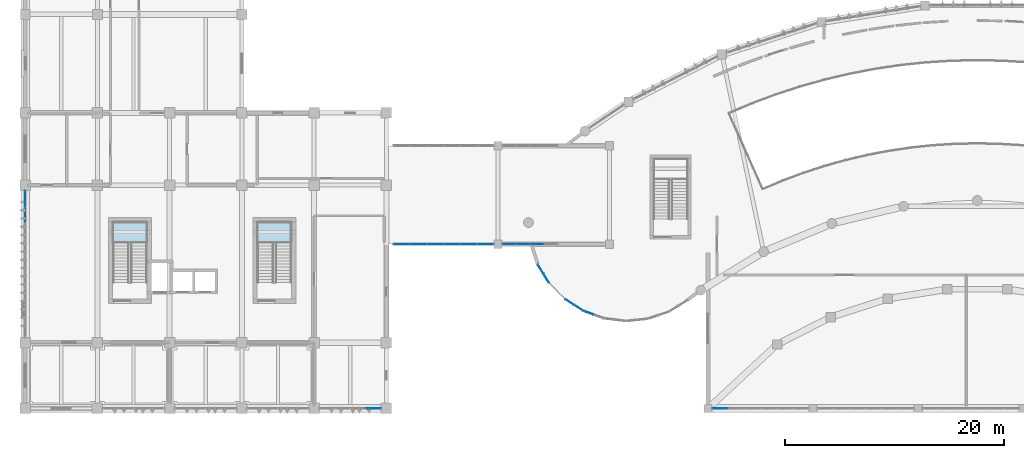
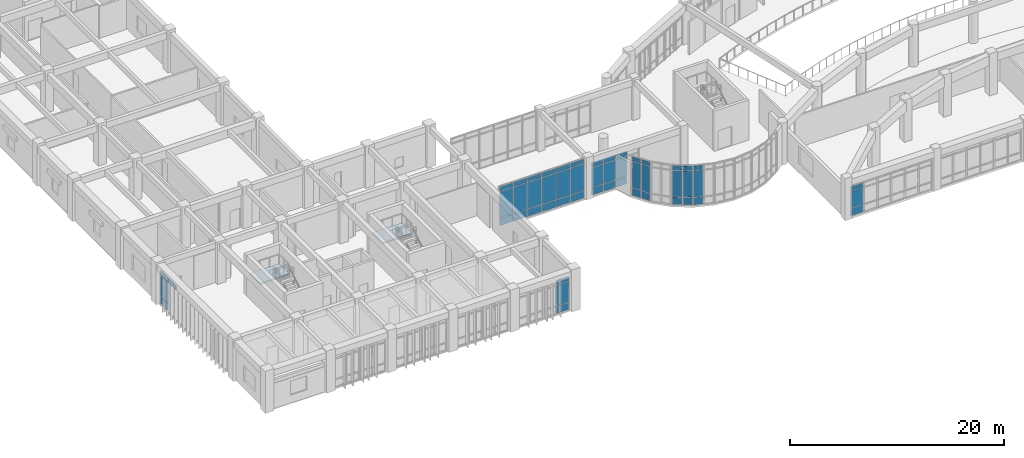
# One storey, part 38 of 68: 52 plates, 2 slabs, 10 elements without a shape of their own.
"""IFC4 building model written with IfcOpenShell, lengths in metres."""

from ifc_helpers import new_model, si_unit, direction, frame, origin, origin_2d, place, context, subcontext, project, spatial, polyline, rectangle, outline, extrude, material, layer, layer_set, type_object, element, aggregate, save


model = new_model("IFC4")

# Units and contexts
model_context = context("Model", 3, precision=1e-05, world=origin(), true_north=direction((0.0, 1.0)))
body_context = subcontext(model_context, "Body", "Model", "MODEL_VIEW")
ifc_project = project(units=[si_unit("LENGTHUNIT", "METRE"), si_unit("AREAUNIT", "SQUARE_METRE"), si_unit("VOLUMEUNIT", "CUBIC_METRE"), si_unit("PLANEANGLEUNIT", "RADIAN"), si_unit("MASSUNIT", "GRAM", prefix="KILO")], contexts=[model_context])

# Site, building, storey
site_placement = place(None, origin())
site = spatial("IfcSite", under=ifc_project, at=site_placement, CompositionType="ELEMENT")
building_placement = place(site_placement, origin())
building = spatial("IfcBuilding", under=site, at=building_placement, Name="Miralva Faculty of Natural Sciences", CompositionType="ELEMENT")
storey_placement = place(building_placement, frame((0.0, 0.0, 5.39990234375)))
storey = spatial("IfcBuildingStorey", under=building, at=storey_placement, Name="L01", CompositionType="ELEMENT", Elevation=5.39990234375)

# Curtain wall, plates
ifc_material_1 = material(Name="Laminated solar-control glass", Category="glass")
ifc_layer_1 = layer(ifc_material_1, 0.179931640625, Name="CW-RND-L01")
ifc_layer_set_1 = layer_set([ifc_layer_1], Name="Laminated solar-control glass")
curtain_wall_type_1 = type_object("IfcCurtainWallType", Name="CW-RND-L01", PredefinedType="USERDEFINED", material=ifc_layer_set_1)
curtain_wall_1_placement = place(storey_placement, origin())
curtain_wall_1 = element("IfcCurtainWall", 1, at=curtain_wall_1_placement, inside=storey, type_object=curtain_wall_type_1, Name="Curtain wall CW-05 L01-51", ObjectType="UNITISED CURTAIN WALL", PredefinedType="USERDEFINED")
ifc_layer_2 = layer(ifc_material_1, 0.028076171875, Name="PNL-P01")
ifc_layer_set_2 = layer_set([ifc_layer_2], Name="Laminated solar-control glass")
plate_type_1 = type_object("IfcPlateType", Name="PNL-P01", PredefinedType="CURTAIN_PANEL", material=ifc_layer_set_2)
plate_1_placement = place(storey_placement, frame((54.490234375, 11.730224609375, 0.06005859375), z_axis=(0.0, 0.0, 1.0), x_axis=(0.940535451088, -0.339695547876, 0.0)))
plate_1 = element("IfcPlate", 2, at=plate_1_placement, type_object=plate_type_1, Name="CW-05 panel 1.1", PredefinedType="CURTAIN_PANEL", context=body_context, shape_type="SweptSolid", body=[
    extrude(rectangle(XDim=0.91259765625, YDim=0.028076171875, at=origin_2d()), origin(), (0.0, 0.0, 1.0), 0.81005859375),
])
plate_2_placement = place(storey_placement, frame((54.490234375, 11.730224609375, 0.93017578125), z_axis=(0.0, 0.0, 1.0), x_axis=(0.940535451088, -0.339695547876, 0.0)))
plate_2 = element("IfcPlate", 3, at=plate_2_placement, type_object=plate_type_1, Name="CW-05 panel 1.2", PredefinedType="CURTAIN_PANEL", context=body_context, shape_type="SweptSolid", body=[
    extrude(rectangle(XDim=0.91259765625, YDim=0.028076171875, at=origin_2d()), origin(), (0.0, 0.0, 1.0), 2.989990234375),
])
plate_3_placement = place(storey_placement, frame((54.490234375, 11.730224609375, 3.97998046875), z_axis=(0.0, 0.0, 1.0), x_axis=(0.940535451088, -0.339695547876, 0.0)))
plate_3 = element("IfcPlate", 4, at=plate_3_placement, type_object=plate_type_1, Name="CW-05 panel 1.3", PredefinedType="CURTAIN_PANEL", context=body_context, shape_type="SweptSolid", body=[
    extrude(rectangle(XDim=0.91259765625, YDim=0.028076171875, at=origin_2d()), origin(), (0.0, 0.0, 1.0), 0.510009765625),
])
aggregate(curtain_wall_1, [plate_1, plate_2, plate_3])

curtain_wall_2_placement = place(storey_placement, origin())
curtain_wall_2 = element("IfcCurtainWall", 5, at=curtain_wall_2_placement, inside=storey, type_object=curtain_wall_type_1, Name="Curtain wall CW-05 L01-52", ObjectType="UNITISED CURTAIN WALL", PredefinedType="USERDEFINED")
plate_4_placement = place(storey_placement, frame((52.742919921875, 12.714599609375, 0.06005859375), z_axis=(0.0, 0.0, 1.0), x_axis=(0.841379438185, -0.540444854725, 0.0)))
plate_4 = element("IfcPlate", 6, at=plate_4_placement, type_object=plate_type_1, Name="CW-05 panel 1.1", PredefinedType="CURTAIN_PANEL", context=body_context, shape_type="SweptSolid", body=[
    extrude(rectangle(XDim=0.91259765625, YDim=0.028076171875, at=origin_2d()), origin(), (0.0, 0.0, 1.0), 0.81005859375),
])
plate_5_placement = place(storey_placement, frame((52.742919921875, 12.714599609375, 0.93017578125), z_axis=(0.0, 0.0, 1.0), x_axis=(0.841379438185, -0.540444854725, 0.0)))
plate_5 = element("IfcPlate", 7, at=plate_5_placement, type_object=plate_type_1, Name="CW-05 panel 1.2", PredefinedType="CURTAIN_PANEL", context=body_context, shape_type="SweptSolid", body=[
    extrude(rectangle(XDim=0.91259765625, YDim=0.028076171875, at=origin_2d()), origin(), (0.0, 0.0, 1.0), 2.989990234375),
])
plate_6_placement = place(storey_placement, frame((52.742919921875, 12.714599609375, 3.97998046875), z_axis=(0.0, 0.0, 1.0), x_axis=(0.841379438185, -0.540444854725, 0.0)))
plate_6 = element("IfcPlate", 8, at=plate_6_placement, type_object=plate_type_1, Name="CW-05 panel 1.3", PredefinedType="CURTAIN_PANEL", context=body_context, shape_type="SweptSolid", body=[
    extrude(rectangle(XDim=0.91259765625, YDim=0.028076171875, at=origin_2d()), origin(), (0.0, 0.0, 1.0), 0.510009765625),
])
plate_7_placement = place(storey_placement, frame((53.565673828125, 12.186279296875, 0.06005859375), z_axis=(0.0, 0.0, 1.0), x_axis=(0.841379438185, -0.540444854725, 0.0)))
plate_7 = element("IfcPlate", 9, at=plate_7_placement, type_object=plate_type_1, Name="CW-05 panel 2.1", PredefinedType="CURTAIN_PANEL", context=body_context, shape_type="SweptSolid", body=[
    extrude(rectangle(XDim=0.91259765625, YDim=0.028076171875, at=origin_2d()), origin(), (0.0, 0.0, 1.0), 0.81005859375),
])
plate_8_placement = place(storey_placement, frame((53.565673828125, 12.186279296875, 0.93017578125), z_axis=(0.0, 0.0, 1.0), x_axis=(0.841379438185, -0.540444854725, 0.0)))
plate_8 = element("IfcPlate", 10, at=plate_8_placement, type_object=plate_type_1, Name="CW-05 panel 2.2", PredefinedType="CURTAIN_PANEL", context=body_context, shape_type="SweptSolid", body=[
    extrude(rectangle(XDim=0.91259765625, YDim=0.028076171875, at=origin_2d()), origin(), (0.0, 0.0, 1.0), 2.989990234375),
])
plate_9_placement = place(storey_placement, frame((53.565673828125, 12.186279296875, 3.97998046875), z_axis=(0.0, 0.0, 1.0), x_axis=(0.841379438185, -0.540444854725, 0.0)))
plate_9 = element("IfcPlate", 11, at=plate_9_placement, type_object=plate_type_1, Name="CW-05 panel 2.3", PredefinedType="CURTAIN_PANEL", context=body_context, shape_type="SweptSolid", body=[
    extrude(rectangle(XDim=0.91259765625, YDim=0.028076171875, at=origin_2d()), origin(), (0.0, 0.0, 1.0), 0.510009765625),
])
aggregate(curtain_wall_2, [plate_4, plate_5, plate_6, plate_7, plate_8, plate_9])

curtain_wall_3_placement = place(storey_placement, origin())
curtain_wall_3 = element("IfcCurtainWall", 12, at=curtain_wall_3_placement, inside=storey, type_object=curtain_wall_type_1, Name="Curtain wall CW-05 L01-54", ObjectType="UNITISED CURTAIN WALL", PredefinedType="USERDEFINED")
plate_10_placement = place(storey_placement, frame((50.111328125, 15.70849609375, 0.06005859375), z_axis=(0.0, 0.0, 1.0), x_axis=(0.523550543884, -0.851994617353, 0.0)))
plate_10 = element("IfcPlate", 13, at=plate_10_placement, type_object=plate_type_1, Name="CW-05 panel 1.1", PredefinedType="CURTAIN_PANEL", context=body_context, shape_type="SweptSolid", body=[
    extrude(rectangle(XDim=0.91259765625, YDim=0.028076171875, at=origin_2d()), origin(), (0.0, 0.0, 1.0), 0.81005859375),
])
plate_11_placement = place(storey_placement, frame((50.111328125, 15.70849609375, 0.93017578125), z_axis=(0.0, 0.0, 1.0), x_axis=(0.523550543884, -0.851994617353, 0.0)))
plate_11 = element("IfcPlate", 14, at=plate_11_placement, type_object=plate_type_1, Name="CW-05 panel 1.2", PredefinedType="CURTAIN_PANEL", context=body_context, shape_type="SweptSolid", body=[
    extrude(rectangle(XDim=0.91259765625, YDim=0.028076171875, at=origin_2d()), origin(), (0.0, 0.0, 1.0), 2.989990234375),
])
plate_12_placement = place(storey_placement, frame((50.111328125, 15.70849609375, 3.97998046875), z_axis=(0.0, 0.0, 1.0), x_axis=(0.523550543884, -0.851994617353, 0.0)))
plate_12 = element("IfcPlate", 15, at=plate_12_placement, type_object=plate_type_1, Name="CW-05 panel 1.3", PredefinedType="CURTAIN_PANEL", context=body_context, shape_type="SweptSolid", body=[
    extrude(rectangle(XDim=0.91259765625, YDim=0.028076171875, at=origin_2d()), origin(), (0.0, 0.0, 1.0), 0.510009765625),
])
plate_13_placement = place(storey_placement, frame((50.623046875, 14.87548828125, 0.06005859375), z_axis=(0.0, 0.0, 1.0), x_axis=(0.523550543884, -0.851994617353, 0.0)))
plate_13 = element("IfcPlate", 16, at=plate_13_placement, type_object=plate_type_1, Name="CW-05 panel 2.1", PredefinedType="CURTAIN_PANEL", context=body_context, shape_type="SweptSolid", body=[
    extrude(rectangle(XDim=0.91259765625, YDim=0.028076171875, at=origin_2d()), origin(), (0.0, 0.0, 1.0), 0.81005859375),
])
plate_14_placement = place(storey_placement, frame((50.623046875, 14.87548828125, 0.93017578125), z_axis=(0.0, 0.0, 1.0), x_axis=(0.523550543884, -0.851994617353, 0.0)))
plate_14 = element("IfcPlate", 17, at=plate_14_placement, type_object=plate_type_1, Name="CW-05 panel 2.2", PredefinedType="CURTAIN_PANEL", context=body_context, shape_type="SweptSolid", body=[
    extrude(rectangle(XDim=0.91259765625, YDim=0.028076171875, at=origin_2d()), origin(), (0.0, 0.0, 1.0), 2.989990234375),
])
plate_15_placement = place(storey_placement, frame((50.623046875, 14.87548828125, 3.97998046875), z_axis=(0.0, 0.0, 1.0), x_axis=(0.523550543884, -0.851994617353, 0.0)))
plate_15 = element("IfcPlate", 18, at=plate_15_placement, type_object=plate_type_1, Name="CW-05 panel 2.3", PredefinedType="CURTAIN_PANEL", context=body_context, shape_type="SweptSolid", body=[
    extrude(rectangle(XDim=0.91259765625, YDim=0.028076171875, at=origin_2d()), origin(), (0.0, 0.0, 1.0), 0.510009765625),
])
aggregate(curtain_wall_3, [plate_10, plate_11, plate_12, plate_13, plate_14, plate_15])

ifc_layer_3 = layer(ifc_material_1, 0.179931640625, Name="CW-TWR-L01")
ifc_layer_set_3 = layer_set([ifc_layer_3], Name="Laminated solar-control glass")
curtain_wall_type_2 = type_object("IfcCurtainWallType", Name="CW-TWR-L01", PredefinedType="USERDEFINED", material=ifc_layer_set_3)
curtain_wall_4_placement = place(storey_placement, origin())
curtain_wall_4 = element("IfcCurtainWall", 19, at=curtain_wall_4_placement, inside=storey, type_object=curtain_wall_type_2, Name="Curtain wall CW-13 L01-217", ObjectType="UNITISED CURTAIN WALL", PredefinedType="USERDEFINED")
plate_16_placement = place(storey_placement, frame((34.8173828125, 3.0, 0.06005859375), z_axis=(0.0, 0.0, 1.0), x_axis=(1.0, 0.0, 0.0)))
plate_16 = element("IfcPlate", 20, at=plate_16_placement, type_object=plate_type_1, Name="CW-13 panel 4.1", PredefinedType="CURTAIN_PANEL", context=body_context, shape_type="SweptSolid", body=[
    extrude(rectangle(XDim=1.324951171875, YDim=0.028076171875, at=origin_2d()), origin(), (0.0, 0.0, 1.0), 0.81005859375),
])
plate_17_placement = place(storey_placement, frame((34.8173828125, 3.0, 0.93017578125), z_axis=(0.0, 0.0, 1.0), x_axis=(1.0, 0.0, 0.0)))
plate_17 = element("IfcPlate", 21, at=plate_17_placement, type_object=plate_type_1, Name="CW-13 panel 4.2", PredefinedType="CURTAIN_PANEL", context=body_context, shape_type="SweptSolid", body=[
    extrude(rectangle(XDim=1.324951171875, YDim=0.028076171875, at=origin_2d()), origin(), (0.0, 0.0, 1.0), 2.31494140625),
])
plate_18_placement = place(storey_placement, frame((34.8173828125, 3.0, 3.30517578125), z_axis=(0.0, 0.0, 1.0), x_axis=(1.0, 0.0, 0.0)))
plate_18 = element("IfcPlate", 22, at=plate_18_placement, type_object=plate_type_1, Name="CW-13 panel 4.3", PredefinedType="CURTAIN_PANEL", context=body_context, shape_type="SweptSolid", body=[
    extrude(rectangle(XDim=1.324951171875, YDim=0.028076171875, at=origin_2d()), origin(), (0.0, 0.0, 1.0), 0.510009765625),
])
aggregate(curtain_wall_4, [plate_16, plate_17, plate_18])

curtain_wall_5_placement = place(storey_placement, origin())
curtain_wall_5 = element("IfcCurtainWall", 23, at=curtain_wall_5_placement, inside=storey, type_object=curtain_wall_type_2, Name="Curtain wall CW-13 L01-218", ObjectType="UNITISED CURTAIN WALL", PredefinedType="USERDEFINED")
plate_19_placement = place(storey_placement, frame((3.0, 20.68994140625, 3.30517578125), z_axis=(0.0, 0.0, 1.0), x_axis=(0.0, 1.0, 0.0)))
plate_19 = element("IfcPlate", 24, at=plate_19_placement, type_object=plate_type_1, Name="CW-13 panel 8.3", PredefinedType="CURTAIN_PANEL", context=body_context, shape_type="SweptSolid", body=[
    extrude(rectangle(XDim=1.431640625, YDim=0.028076171875, at=origin_2d()), origin(), (0.0, 0.0, 1.0), 0.510009765625),
])
plate_20_placement = place(storey_placement, frame((3.0, 22.17041015625, 0.06005859375), z_axis=(0.0, 0.0, 1.0), x_axis=(0.0, 1.0, 0.0)))
plate_20 = element("IfcPlate", 25, at=plate_20_placement, type_object=plate_type_1, Name="CW-13 panel 9.1", PredefinedType="CURTAIN_PANEL", context=body_context, shape_type="SweptSolid", body=[
    extrude(rectangle(XDim=1.399169921875, YDim=0.028076171875, at=origin_2d()), origin(), (0.0, 0.0, 1.0), 0.81005859375),
])
plate_21_placement = place(storey_placement, frame((3.0, 22.17041015625, 0.93017578125), z_axis=(0.0, 0.0, 1.0), x_axis=(0.0, 1.0, 0.0)))
plate_21 = element("IfcPlate", 26, at=plate_21_placement, type_object=plate_type_1, Name="CW-13 panel 9.2", PredefinedType="CURTAIN_PANEL", context=body_context, shape_type="SweptSolid", body=[
    extrude(rectangle(XDim=1.399169921875, YDim=0.028076171875, at=origin_2d()), origin(), (0.0, 0.0, 1.0), 2.31494140625),
])
plate_22_placement = place(storey_placement, frame((3.0, 22.17041015625, 3.30517578125), z_axis=(0.0, 0.0, 1.0), x_axis=(0.0, 1.0, 0.0)))
plate_22 = element("IfcPlate", 27, at=plate_22_placement, type_object=plate_type_1, Name="CW-13 panel 9.3", PredefinedType="CURTAIN_PANEL", context=body_context, shape_type="SweptSolid", body=[
    extrude(rectangle(XDim=1.399169921875, YDim=0.028076171875, at=origin_2d()), origin(), (0.0, 0.0, 1.0), 0.510009765625),
])
aggregate(curtain_wall_5, [plate_19, plate_20, plate_21, plate_22])

ifc_layer_4 = layer(ifc_material_1, 0.179931640625, Name="CW-COM-L01")
ifc_layer_set_4 = layer_set([ifc_layer_4], Name="Laminated solar-control glass")
curtain_wall_type_3 = type_object("IfcCurtainWallType", Name="CW-COM-L01", PredefinedType="USERDEFINED", material=ifc_layer_set_4)
curtain_wall_6_placement = place(storey_placement, origin())
curtain_wall_6 = element("IfcCurtainWall", 28, at=curtain_wall_6_placement, inside=storey, type_object=curtain_wall_type_3, Name="Curtain wall CW-10 L01-288", ObjectType="UNITISED CURTAIN WALL", PredefinedType="USERDEFINED")
plate_23_placement = place(storey_placement, frame((37.40380859375, 18.0, 0.06005859375), z_axis=(0.0, 0.0, 1.0), x_axis=(1.0, 0.0, 0.0)))
plate_23 = element("IfcPlate", 29, at=plate_23_placement, type_object=plate_type_1, Name="CW-10 panel 1.1", PredefinedType="CURTAIN_PANEL", context=body_context, shape_type="SweptSolid", body=[
    extrude(rectangle(XDim=1.447509765625, YDim=0.028076171875, at=origin_2d()), origin(), (0.0, 0.0, 1.0), 0.81005859375),
])
plate_24_placement = place(storey_placement, frame((37.40380859375, 18.0, 0.93017578125), z_axis=(0.0, 0.0, 1.0), x_axis=(1.0, 0.0, 0.0)))
plate_24 = element("IfcPlate", 30, at=plate_24_placement, type_object=plate_type_1, Name="CW-10 panel 1.2", PredefinedType="CURTAIN_PANEL", context=body_context, shape_type="SweptSolid", body=[
    extrude(rectangle(XDim=1.447509765625, YDim=0.028076171875, at=origin_2d()), origin(), (0.0, 0.0, 1.0), 2.989990234375),
])
plate_25_placement = place(storey_placement, frame((37.40380859375, 18.0, 3.97998046875), z_axis=(0.0, 0.0, 1.0), x_axis=(1.0, 0.0, 0.0)))
plate_25 = element("IfcPlate", 31, at=plate_25_placement, type_object=plate_type_1, Name="CW-10 panel 1.3", PredefinedType="CURTAIN_PANEL", context=body_context, shape_type="SweptSolid", body=[
    extrude(rectangle(XDim=1.447509765625, YDim=0.028076171875, at=origin_2d()), origin(), (0.0, 0.0, 1.0), 0.510009765625),
])
plate_26_placement = place(storey_placement, frame((38.92626953125, 18.0, 0.06005859375), z_axis=(0.0, 0.0, 1.0), x_axis=(1.0, 0.0, 0.0)))
plate_26 = element("IfcPlate", 32, at=plate_26_placement, type_object=plate_type_1, Name="CW-10 panel 2.1", PredefinedType="CURTAIN_PANEL", context=body_context, shape_type="SweptSolid", body=[
    extrude(rectangle(XDim=1.4775390625, YDim=0.028076171875, at=origin_2d()), origin(), (0.0, 0.0, 1.0), 0.81005859375),
])
plate_27_placement = place(storey_placement, frame((38.92626953125, 18.0, 0.93017578125), z_axis=(0.0, 0.0, 1.0), x_axis=(1.0, 0.0, 0.0)))
plate_27 = element("IfcPlate", 33, at=plate_27_placement, type_object=plate_type_1, Name="CW-10 panel 2.2", PredefinedType="CURTAIN_PANEL", context=body_context, shape_type="SweptSolid", body=[
    extrude(rectangle(XDim=1.4775390625, YDim=0.028076171875, at=origin_2d()), origin(), (0.0, 0.0, 1.0), 2.989990234375),
])
plate_28_placement = place(storey_placement, frame((38.92626953125, 18.0, 3.97998046875), z_axis=(0.0, 0.0, 1.0), x_axis=(1.0, 0.0, 0.0)))
plate_28 = element("IfcPlate", 34, at=plate_28_placement, type_object=plate_type_1, Name="CW-10 panel 2.3", PredefinedType="CURTAIN_PANEL", context=body_context, shape_type="SweptSolid", body=[
    extrude(rectangle(XDim=1.4775390625, YDim=0.028076171875, at=origin_2d()), origin(), (0.0, 0.0, 1.0), 0.510009765625),
])
plate_29_placement = place(storey_placement, frame((40.4638671875, 18.0, 0.06005859375), z_axis=(0.0, 0.0, 1.0), x_axis=(1.0, 0.0, 0.0)))
plate_29 = element("IfcPlate", 35, at=plate_29_placement, type_object=plate_type_1, Name="CW-10 panel 3.1", PredefinedType="CURTAIN_PANEL", context=body_context, shape_type="SweptSolid", body=[
    extrude(rectangle(XDim=1.4775390625, YDim=0.028076171875, at=origin_2d()), origin(), (0.0, 0.0, 1.0), 0.81005859375),
])
plate_30_placement = place(storey_placement, frame((40.4638671875, 18.0, 0.93017578125), z_axis=(0.0, 0.0, 1.0), x_axis=(1.0, 0.0, 0.0)))
plate_30 = element("IfcPlate", 36, at=plate_30_placement, type_object=plate_type_1, Name="CW-10 panel 3.2", PredefinedType="CURTAIN_PANEL", context=body_context, shape_type="SweptSolid", body=[
    extrude(rectangle(XDim=1.4775390625, YDim=0.028076171875, at=origin_2d()), origin(), (0.0, 0.0, 1.0), 2.989990234375),
])
plate_31_placement = place(storey_placement, frame((40.4638671875, 18.0, 3.97998046875), z_axis=(0.0, 0.0, 1.0), x_axis=(1.0, 0.0, 0.0)))
plate_31 = element("IfcPlate", 37, at=plate_31_placement, type_object=plate_type_1, Name="CW-10 panel 3.3", PredefinedType="CURTAIN_PANEL", context=body_context, shape_type="SweptSolid", body=[
    extrude(rectangle(XDim=1.4775390625, YDim=0.028076171875, at=origin_2d()), origin(), (0.0, 0.0, 1.0), 0.510009765625),
])
plate_32_placement = place(storey_placement, frame((42.001220703125, 18.0, 0.06005859375), z_axis=(0.0, 0.0, 1.0), x_axis=(1.0, 0.0, 0.0)))
plate_32 = element("IfcPlate", 38, at=plate_32_placement, type_object=plate_type_1, Name="CW-10 panel 4.1", PredefinedType="CURTAIN_PANEL", context=body_context, shape_type="SweptSolid", body=[
    extrude(rectangle(XDim=1.4775390625, YDim=0.028076171875, at=origin_2d()), origin(), (0.0, 0.0, 1.0), 0.81005859375),
])
plate_33_placement = place(storey_placement, frame((42.001220703125, 18.0, 0.93017578125), z_axis=(0.0, 0.0, 1.0), x_axis=(1.0, 0.0, 0.0)))
plate_33 = element("IfcPlate", 39, at=plate_33_placement, type_object=plate_type_1, Name="CW-10 panel 4.2", PredefinedType="CURTAIN_PANEL", context=body_context, shape_type="SweptSolid", body=[
    extrude(rectangle(XDim=1.4775390625, YDim=0.028076171875, at=origin_2d()), origin(), (0.0, 0.0, 1.0), 2.989990234375),
])
plate_34_placement = place(storey_placement, frame((42.001220703125, 18.0, 3.97998046875), z_axis=(0.0, 0.0, 1.0), x_axis=(1.0, 0.0, 0.0)))
plate_34 = element("IfcPlate", 40, at=plate_34_placement, type_object=plate_type_1, Name="CW-10 panel 4.3", PredefinedType="CURTAIN_PANEL", context=body_context, shape_type="SweptSolid", body=[
    extrude(rectangle(XDim=1.4775390625, YDim=0.028076171875, at=origin_2d()), origin(), (0.0, 0.0, 1.0), 0.510009765625),
])
plate_35_placement = place(storey_placement, frame((43.538818359375, 18.0, 0.06005859375), z_axis=(0.0, 0.0, 1.0), x_axis=(1.0, 0.0, 0.0)))
plate_35 = element("IfcPlate", 41, at=plate_35_placement, type_object=plate_type_1, Name="CW-10 panel 5.1", PredefinedType="CURTAIN_PANEL", context=body_context, shape_type="SweptSolid", body=[
    extrude(rectangle(XDim=1.4775390625, YDim=0.028076171875, at=origin_2d()), origin(), (0.0, 0.0, 1.0), 0.81005859375),
])
plate_36_placement = place(storey_placement, frame((43.538818359375, 18.0, 0.93017578125), z_axis=(0.0, 0.0, 1.0), x_axis=(1.0, 0.0, 0.0)))
plate_36 = element("IfcPlate", 42, at=plate_36_placement, type_object=plate_type_1, Name="CW-10 panel 5.2", PredefinedType="CURTAIN_PANEL", context=body_context, shape_type="SweptSolid", body=[
    extrude(rectangle(XDim=1.4775390625, YDim=0.028076171875, at=origin_2d()), origin(), (0.0, 0.0, 1.0), 2.989990234375),
])
plate_37_placement = place(storey_placement, frame((43.538818359375, 18.0, 3.97998046875), z_axis=(0.0, 0.0, 1.0), x_axis=(1.0, 0.0, 0.0)))
plate_37 = element("IfcPlate", 43, at=plate_37_placement, type_object=plate_type_1, Name="CW-10 panel 5.3", PredefinedType="CURTAIN_PANEL", context=body_context, shape_type="SweptSolid", body=[
    extrude(rectangle(XDim=1.4775390625, YDim=0.028076171875, at=origin_2d()), origin(), (0.0, 0.0, 1.0), 0.510009765625),
])
plate_38_placement = place(storey_placement, frame((45.061279296875, 18.0, 0.06005859375), z_axis=(0.0, 0.0, 1.0), x_axis=(1.0, 0.0, 0.0)))
plate_38 = element("IfcPlate", 44, at=plate_38_placement, type_object=plate_type_1, Name="CW-10 panel 6.1", PredefinedType="CURTAIN_PANEL", context=body_context, shape_type="SweptSolid", body=[
    extrude(rectangle(XDim=1.447509765625, YDim=0.028076171875, at=origin_2d()), origin(), (0.0, 0.0, 1.0), 0.81005859375),
])
plate_39_placement = place(storey_placement, frame((45.061279296875, 18.0, 0.93017578125), z_axis=(0.0, 0.0, 1.0), x_axis=(1.0, 0.0, 0.0)))
plate_39 = element("IfcPlate", 45, at=plate_39_placement, type_object=plate_type_1, Name="CW-10 panel 6.2", PredefinedType="CURTAIN_PANEL", context=body_context, shape_type="SweptSolid", body=[
    extrude(rectangle(XDim=1.447509765625, YDim=0.028076171875, at=origin_2d()), origin(), (0.0, 0.0, 1.0), 2.989990234375),
])
plate_40_placement = place(storey_placement, frame((45.061279296875, 18.0, 3.97998046875), z_axis=(0.0, 0.0, 1.0), x_axis=(1.0, 0.0, 0.0)))
plate_40 = element("IfcPlate", 46, at=plate_40_placement, type_object=plate_type_1, Name="CW-10 panel 6.3", PredefinedType="CURTAIN_PANEL", context=body_context, shape_type="SweptSolid", body=[
    extrude(rectangle(XDim=1.447509765625, YDim=0.028076171875, at=origin_2d()), origin(), (0.0, 0.0, 1.0), 0.510009765625),
])
aggregate(curtain_wall_6, [plate_23, plate_24, plate_25, plate_26, plate_27, plate_28, plate_29, plate_30, plate_31, plate_32, plate_33, plate_34, plate_35, plate_36, plate_37, plate_38, plate_39, plate_40])

curtain_wall_7_placement = place(storey_placement, origin())
curtain_wall_7 = element("IfcCurtainWall", 47, at=curtain_wall_7_placement, inside=storey, type_object=curtain_wall_type_3, Name="Curtain wall CW-10 L01-289", ObjectType="UNITISED CURTAIN WALL", PredefinedType="USERDEFINED")
plate_41_placement = place(storey_placement, frame((47.219482421875, 18.0, 0.06005859375), z_axis=(0.0, 0.0, 1.0), x_axis=(1.0, 0.0, 0.0)))
plate_41 = element("IfcPlate", 48, at=plate_41_placement, type_object=plate_type_1, Name="CW-10 panel 1.1", PredefinedType="CURTAIN_PANEL", context=body_context, shape_type="SweptSolid", body=[
    extrude(rectangle(XDim=1.188720703125, YDim=0.028076171875, at=origin_2d()), origin(), (0.0, 0.0, 1.0), 0.81005859375),
])
plate_42_placement = place(storey_placement, frame((47.219482421875, 18.0, 0.929931640625), z_axis=(0.0, 0.0, 1.0), x_axis=(1.0, 0.0, 0.0)))
plate_42 = element("IfcPlate", 49, at=plate_42_placement, type_object=plate_type_1, Name="CW-10 panel 1.2", PredefinedType="CURTAIN_PANEL", context=body_context, shape_type="SweptSolid", body=[
    extrude(rectangle(XDim=1.188720703125, YDim=0.028076171875, at=origin_2d()), origin(), (0.0, 0.0, 1.0), 2.2451171875),
])
plate_43_placement = place(storey_placement, frame((47.219482421875, 18.0, 3.23486328125), z_axis=(0.0, 0.0, 1.0), x_axis=(1.0, 0.0, 0.0)))
plate_43 = element("IfcPlate", 50, at=plate_43_placement, type_object=plate_type_1, Name="CW-10 panel 1.3", PredefinedType="CURTAIN_PANEL", context=body_context, shape_type="SweptSolid", body=[
    extrude(rectangle(XDim=1.188720703125, YDim=0.028076171875, at=origin_2d()), origin(), (0.0, 0.0, 1.0), 0.510009765625),
])
plate_44_placement = place(storey_placement, frame((48.483154296875, 18.0, 0.06005859375), z_axis=(0.0, 0.0, 1.0), x_axis=(1.0, 0.0, 0.0)))
plate_44 = element("IfcPlate", 51, at=plate_44_placement, type_object=plate_type_1, Name="CW-10 panel 2.1", PredefinedType="CURTAIN_PANEL", context=body_context, shape_type="SweptSolid", body=[
    extrude(rectangle(XDim=1.21875, YDim=0.028076171875, at=origin_2d()), origin(), (0.0, 0.0, 1.0), 0.81005859375),
])
plate_45_placement = place(storey_placement, frame((48.483154296875, 18.0, 0.929931640625), z_axis=(0.0, 0.0, 1.0), x_axis=(1.0, 0.0, 0.0)))
plate_45 = element("IfcPlate", 52, at=plate_45_placement, type_object=plate_type_1, Name="CW-10 panel 2.2", PredefinedType="CURTAIN_PANEL", context=body_context, shape_type="SweptSolid", body=[
    extrude(rectangle(XDim=1.21875, YDim=0.028076171875, at=origin_2d()), origin(), (0.0, 0.0, 1.0), 2.2451171875),
])
plate_46_placement = place(storey_placement, frame((48.483154296875, 18.0, 3.23486328125), z_axis=(0.0, 0.0, 1.0), x_axis=(1.0, 0.0, 0.0)))
plate_46 = element("IfcPlate", 53, at=plate_46_placement, type_object=plate_type_1, Name="CW-10 panel 2.3", PredefinedType="CURTAIN_PANEL", context=body_context, shape_type="SweptSolid", body=[
    extrude(rectangle(XDim=1.21875, YDim=0.028076171875, at=origin_2d()), origin(), (0.0, 0.0, 1.0), 0.510009765625),
])
plate_47_placement = place(storey_placement, frame((49.761962890625, 18.0, 0.06005859375), z_axis=(0.0, 0.0, 1.0), x_axis=(1.0, 0.0, 0.0)))
plate_47 = element("IfcPlate", 54, at=plate_47_placement, type_object=plate_type_1, Name="CW-10 panel 3.1", PredefinedType="CURTAIN_PANEL", context=body_context, shape_type="SweptSolid", body=[
    extrude(rectangle(XDim=1.21875, YDim=0.028076171875, at=origin_2d()), origin(), (0.0, 0.0, 1.0), 0.81005859375),
])
plate_48_placement = place(storey_placement, frame((49.761962890625, 18.0, 0.929931640625), z_axis=(0.0, 0.0, 1.0), x_axis=(1.0, 0.0, 0.0)))
plate_48 = element("IfcPlate", 55, at=plate_48_placement, type_object=plate_type_1, Name="CW-10 panel 3.2", PredefinedType="CURTAIN_PANEL", context=body_context, shape_type="SweptSolid", body=[
    extrude(rectangle(XDim=1.21875, YDim=0.028076171875, at=origin_2d()), origin(), (0.0, 0.0, 1.0), 2.2451171875),
])
plate_49_placement = place(storey_placement, frame((49.761962890625, 18.0, 3.23486328125), z_axis=(0.0, 0.0, 1.0), x_axis=(1.0, 0.0, 0.0)))
plate_49 = element("IfcPlate", 56, at=plate_49_placement, type_object=plate_type_1, Name="CW-10 panel 3.3", PredefinedType="CURTAIN_PANEL", context=body_context, shape_type="SweptSolid", body=[
    extrude(rectangle(XDim=1.21875, YDim=0.028076171875, at=origin_2d()), origin(), (0.0, 0.0, 1.0), 0.510009765625),
])
aggregate(curtain_wall_7, [plate_41, plate_42, plate_43, plate_44, plate_45, plate_46, plate_47, plate_48, plate_49])

ifc_layer_5 = layer(ifc_material_1, 0.179931640625, Name="CW-LEC-L01")
ifc_layer_set_5 = layer_set([ifc_layer_5], Name="Laminated solar-control glass")
curtain_wall_type_4 = type_object("IfcCurtainWallType", Name="CW-LEC-L01", PredefinedType="USERDEFINED", material=ifc_layer_set_5)
curtain_wall_8_placement = place(storey_placement, origin())
curtain_wall_8 = element("IfcCurtainWall", 57, at=curtain_wall_8_placement, inside=storey, type_object=curtain_wall_type_4, Name="Curtain wall CW-08 L01-206", ObjectType="UNITISED CURTAIN WALL", PredefinedType="USERDEFINED")
ifc_layer_6 = layer(ifc_material_1, 0.031982421875, Name="PNL-P02")
ifc_layer_set_6 = layer_set([ifc_layer_6], Name="Laminated solar-control glass")
plate_type_2 = type_object("IfcPlateType", Name="PNL-P02", PredefinedType="CURTAIN_PANEL", material=ifc_layer_set_6)
plate_50_placement = place(storey_placement, frame((66.5205078125, 3.0, 0.06494140625), z_axis=(0.0, 0.0, 1.0), x_axis=(1.0, 0.0, 0.0)))
plate_50 = element("IfcPlate", 58, at=plate_50_placement, type_object=plate_type_2, Name="CW-08 panel 1.1", PredefinedType="CURTAIN_PANEL", context=body_context, shape_type="SweptSolid", body=[
    extrude(rectangle(XDim=1.380859375, YDim=0.031982421875, at=origin_2d()), origin(), (0.0, 0.0, 1.0), 0.802490234375),
])
plate_51_placement = place(storey_placement, frame((66.5205078125, 3.0, 0.9326171875), z_axis=(0.0, 0.0, 1.0), x_axis=(1.0, 0.0, 0.0)))
plate_51 = element("IfcPlate", 59, at=plate_51_placement, type_object=plate_type_2, Name="CW-08 panel 1.2", PredefinedType="CURTAIN_PANEL", context=body_context, shape_type="SweptSolid", body=[
    extrude(rectangle(XDim=1.380859375, YDim=0.031982421875, at=origin_2d()), origin(), (0.0, 0.0, 1.0), 1.8798828125),
])
plate_52_placement = place(storey_placement, frame((66.5205078125, 3.0, 2.877685546875), z_axis=(0.0, 0.0, 1.0), x_axis=(1.0, 0.0, 0.0)))
plate_52 = element("IfcPlate", 60, at=plate_52_placement, type_object=plate_type_2, Name="CW-08 panel 1.3", PredefinedType="CURTAIN_PANEL", context=body_context, shape_type="SweptSolid", body=[
    extrude(rectangle(XDim=1.380859375, YDim=0.031982421875, at=origin_2d()), origin(), (0.0, 0.0, 1.0), 0.50244140625),
])
aggregate(curtain_wall_8, [plate_50, plate_51, plate_52])

# Stair, slab
ifc_material_2 = material(Name="Concrete C40/50", Category="concrete")
stair_type = type_object("IfcStairType", Name="ST-CORE-480", PredefinedType="HALF_TURN_STAIR", material=ifc_material_2)
stair_1_placement = place(storey_placement, origin())
stair_1 = element("IfcStair", 61, at=stair_1_placement, inside=storey, type_object=stair_type, Name="Exit Stair Core C1 (ST-02) L01", PredefinedType="HALF_TURN_STAIR")
ifc_layer_7 = layer(ifc_material_2, 0.18994140625, Name="SL-LD01")
ifc_layer_set_7 = layer_set([ifc_layer_7], Name="Concrete C40/50")
slab_type = type_object("IfcSlabType", Name="SL-LD01", PredefinedType="LANDING", material=ifc_layer_set_7)
slab_1_placement = place(storey_placement, frame((0.0, 0.0, 2.210205078125)))
slab_1 = element("IfcSlab", 62, at=slab_1_placement, type_object=slab_type, Name="ST-02 landing 1", PredefinedType="LANDING", context=body_context, shape_type="SweptSolid", body=[
    extrude(outline(polyline([(14.14990234375, 18.139892578125), (14.14990234375, 20.050048828125), (11.0, 20.050048828125), (11.0, 18.139892578125), (14.14990234375, 18.139892578125)])), origin(), (0.0, 0.0, 1.0), 0.18994140625),
])
aggregate(stair_1, [slab_1])

stair_2_placement = place(storey_placement, origin())
stair_2 = element("IfcStair", 63, at=stair_2_placement, inside=storey, type_object=stair_type, Name="Exit Stair Core C1B (ST-02) L01", PredefinedType="HALF_TURN_STAIR")
slab_2_placement = place(storey_placement, frame((0.0, 0.0, 2.210205078125)))
slab_2 = element("IfcSlab", 64, at=slab_2_placement, type_object=slab_type, Name="ST-02 landing 1", PredefinedType="LANDING", context=body_context, shape_type="SweptSolid", body=[
    extrude(outline(polyline([(27.35009765625, 18.139892578125), (27.35009765625, 20.050048828125), (24.199951171875, 20.050048828125), (24.199951171875, 18.139892578125), (27.35009765625, 18.139892578125)])), origin(), (0.0, 0.0, 1.0), 0.18994140625),
])
aggregate(stair_2, [slab_2])

save(model, "model.ifc")
